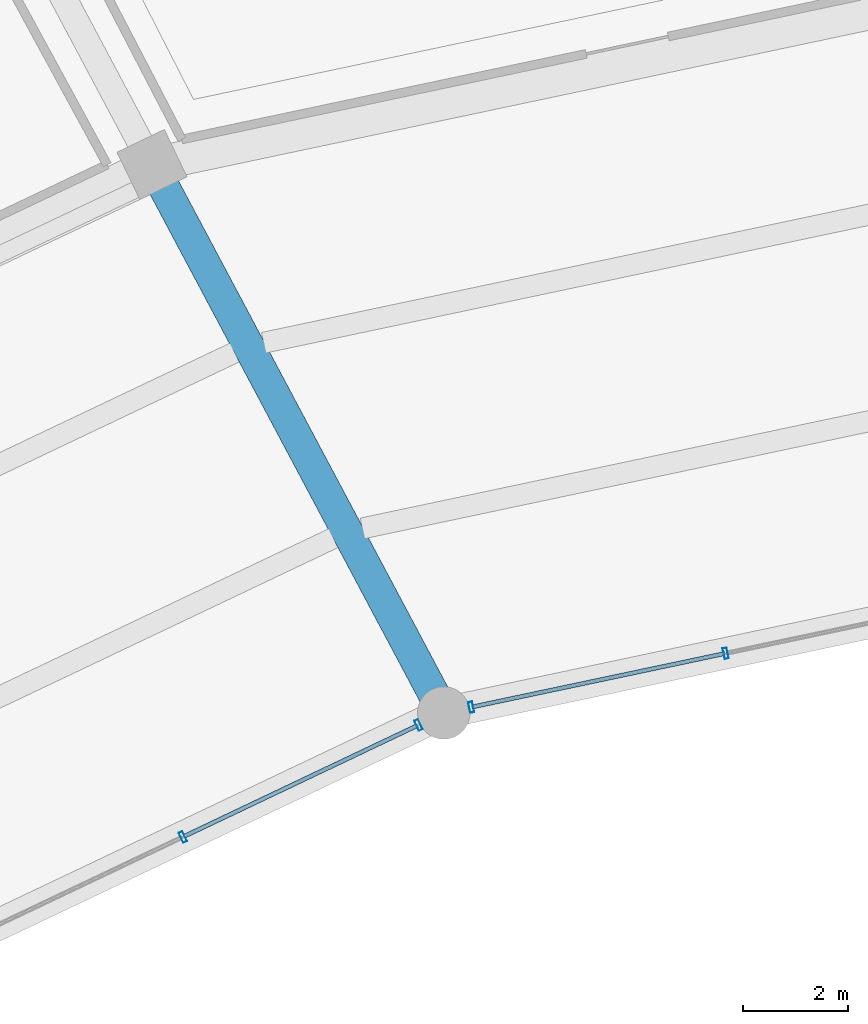
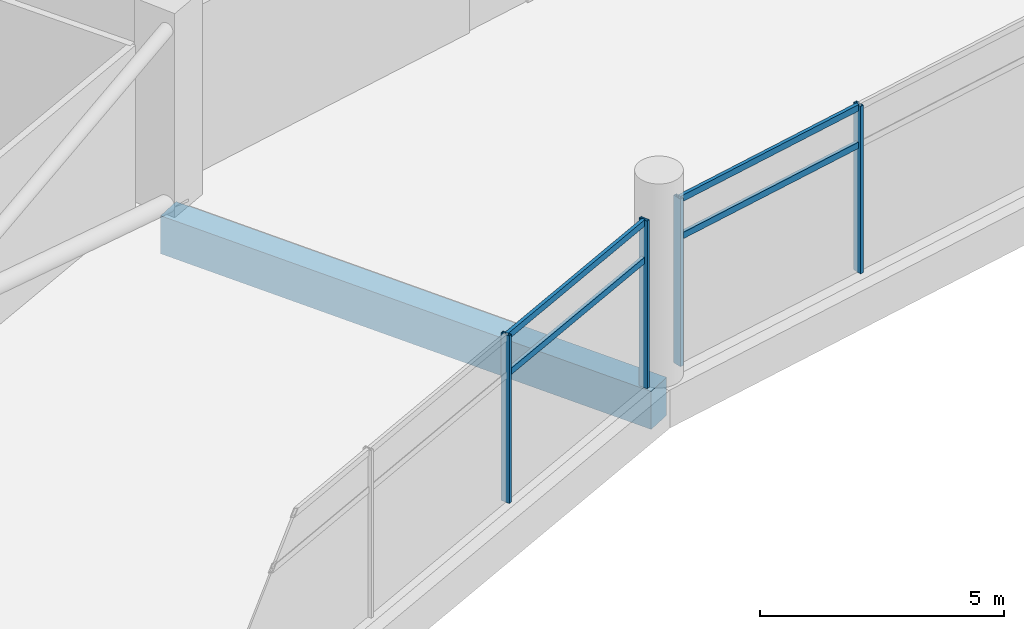
# One storey, part 105 of 184: 8 members, 1 beam, 2 elements without a shape of their own.
"""IFC4 building model written with IfcOpenShell, lengths in metres."""

from ifc_helpers import new_model, si_unit, direction, frame, origin, origin_2d, place, context, subcontext, project, spatial, rectangle, hollow_rectangle, extrude, material, layer, layer_set, material_profile, profile_set, type_object, element, aggregate, save


model = new_model("IFC4")

# Units and contexts
model_context = context("Model", 3, precision=1e-05, world=origin(), true_north=direction((0.0, 1.0)))
body_context = subcontext(model_context, "Body", "Model", "MODEL_VIEW")
ifc_project = project(units=[si_unit("LENGTHUNIT", "METRE"), si_unit("AREAUNIT", "SQUARE_METRE"), si_unit("VOLUMEUNIT", "CUBIC_METRE"), si_unit("PLANEANGLEUNIT", "RADIAN"), si_unit("MASSUNIT", "GRAM", prefix="KILO")], contexts=[model_context])

# Site, building, storey
site_placement = place(None, origin())
site = spatial("IfcSite", under=ifc_project, at=site_placement, CompositionType="ELEMENT")
building_placement = place(site_placement, origin())
building = spatial("IfcBuilding", under=site, at=building_placement, Name="Kazemori Nagisa Stadium", CompositionType="ELEMENT")
storey_placement = place(building_placement, frame((0.0, 0.0, 10.5400390625)))
storey = spatial("IfcBuildingStorey", under=building, at=storey_placement, Name="L02", CompositionType="ELEMENT", Elevation=10.5400390625)

# Beam
ifc_material_1 = material(Name="Concrete C40/50 (Fc42)", Category="concrete")
ifc_material_profile_1 = material_profile(ifc_material_1, rectangle(XDim=0.60009765625, YDim=0.949951171875, at=origin_2d()), Name="RC-BM-600x950")
ifc_profile_set_1 = profile_set([ifc_material_profile_1], Name="Concrete C40/50 (Fc42)")
beam_type = type_object("IfcBeamType", Name="Beam_BG-RC600X950", PredefinedType="BEAM", material=ifc_profile_set_1)
beam_placement = place(storey_placement, frame((91.75244140625, 160.739013671875, -0.735107421875), z_axis=(-0.469646804203, 0.882854393036, 0.0), x_axis=(-0.882854393036, -0.469646804203, 0.0)))
element("IfcBeam", 1, at=beam_placement, inside=storey, type_object=beam_type, Name="Radial girder BG-RC600X950 L02 R1-R2-10", PredefinedType="BEAM", context=body_context, shape_type="SweptSolid", body=[
    extrude(rectangle(XDim=0.60009765625, YDim=0.949951171875, at=origin_2d()), origin(), (0.0, 0.0, 1.0), 11.84814453125),
])

# Curtain wall, members
ifc_material_2 = material(Name="Anodised aluminium 6063-T5", Category="aluminium")
ifc_layer = layer(ifc_material_2, 0.2099609375, Name="Anodised aluminium 6063-T5", Category="aluminium")
ifc_layer_set = layer_set([ifc_layer], Name="Anodised aluminium 6063-T5")
curtain_wall_type = type_object("IfcCurtainWallType", Name="CW_L02B_75", PredefinedType="USERDEFINED", material=ifc_layer_set)
curtain_wall_1_placement = place(storey_placement, origin())
curtain_wall_1 = element("IfcCurtainWall", 2, at=curtain_wall_1_placement, inside=storey, type_object=curtain_wall_type, Name="Unitised curtain wall CW-L02B-75 L02", ObjectType="UNITISED CURTAIN WALL", PredefinedType="USERDEFINED")
ifc_material_3 = material(Name="Aluminium 6063-T5 anodised", Category="aluminium")
ifc_material_profile_2 = material_profile(ifc_material_3, hollow_rectangle(XDim=0.080078125, YDim=0.2099609375, WallThickness=0.0048828125, at=origin_2d()), Name="ALU-MULL-80x210x5")
ifc_profile_set_2 = profile_set([ifc_material_profile_2], Name="Aluminium 6063-T5 anodised")
member_type_1 = type_object("IfcMemberType", Name="Mullion_M02", PredefinedType="MULLION", material=ifc_profile_set_2)
member_1_placement = place(storey_placement, frame((97.128662109375, 161.876220703125, 0.0), z_axis=(0.0, 0.0, 1.0), x_axis=(-0.978344955407, -0.206981033502, 0.0)))
member_1 = element("IfcMember", 3, at=member_1_placement, type_object=member_type_1, Name="Curtain wall mullion CW-L02B-75-M3", PredefinedType="MULLION", context=body_context, shape_type="SweptSolid", body=[
    extrude(hollow_rectangle(XDim=0.080078125, YDim=0.2099609375, WallThickness=0.0048828125, at=origin_2d()), origin(), (0.0, 0.0, 1.0), 4.18994140625),
])
member_2_placement = place(storey_placement, frame((92.27587890625, 160.849609375, 0.0), z_axis=(0.0, 0.0, 1.0), x_axis=(-0.978344955407, -0.206981033502, 0.0)))
member_2 = element("IfcMember", 4, at=member_2_placement, type_object=member_type_1, Name="Curtain wall mullion CW-L02B-75-M4", PredefinedType="MULLION", context=body_context, shape_type="SweptSolid", body=[
    extrude(hollow_rectangle(XDim=0.080078125, YDim=0.2099609375, WallThickness=0.0048828125, at=origin_2d()), origin(), (0.0, 0.0, 1.0), 4.18994140625),
])

curtain_wall_2_placement = place(storey_placement, origin())
curtain_wall_2 = element("IfcCurtainWall", 5, at=curtain_wall_2_placement, inside=storey, type_object=curtain_wall_type, Name="Unitised curtain wall CW-L02B-75 L02", ObjectType="UNITISED CURTAIN WALL", PredefinedType="USERDEFINED")
member_3_placement = place(storey_placement, frame((91.269287109375, 160.50927734375, 0.0), z_axis=(0.0, 0.0, 1.0), x_axis=(-0.903215892654, -0.429186499388, 0.0)))
member_3 = element("IfcMember", 6, at=member_3_placement, type_object=member_type_1, Name="Curtain wall mullion CW-L02B-75-M1", PredefinedType="MULLION", context=body_context, shape_type="SweptSolid", body=[
    extrude(hollow_rectangle(XDim=0.080078125, YDim=0.2099609375, WallThickness=0.0048828125, at=origin_2d()), origin(), (0.0, 0.0, 1.0), 4.18994140625),
])
member_4_placement = place(storey_placement, frame((86.775146484375, 158.373779296875, 0.0), z_axis=(0.0, 0.0, 1.0), x_axis=(-0.903215892654, -0.429186499388, 0.0)))
member_4 = element("IfcMember", 7, at=member_4_placement, type_object=member_type_1, Name="Curtain wall mullion CW-L02B-75-M2", PredefinedType="MULLION", context=body_context, shape_type="SweptSolid", body=[
    extrude(hollow_rectangle(XDim=0.080078125, YDim=0.2099609375, WallThickness=0.0048828125, at=origin_2d()), origin(), (0.0, 0.0, 1.0), 4.18994140625),
])

# Member
ifc_material_profile_3 = material_profile(ifc_material_3, hollow_rectangle(XDim=0.080078125, YDim=0.159912109375, WallThickness=0.00390625, at=origin_2d()), Name="ALU-TRAN-80x160x4")
ifc_profile_set_3 = profile_set([ifc_material_profile_3], Name="Aluminium 6063-T5 anodised")
member_type_2 = type_object("IfcMemberType", Name="Transom_T02", PredefinedType="USERDEFINED", material=ifc_profile_set_3)
member_5_placement = place(storey_placement, frame((97.109130859375, 161.8720703125, 3.184326171875), z_axis=(-0.978348737064, -0.206963157798, 0.0), x_axis=(0.206963157798, -0.978348737064, 0.0)))
member_5 = element("IfcMember", 8, at=member_5_placement, type_object=member_type_2, Name="Curtain wall transom CW-L02B-75-T3-mid", ObjectType="TRANSOM", PredefinedType="USERDEFINED", context=body_context, shape_type="SweptSolid", body=[
    extrude(hollow_rectangle(XDim=0.080078125, YDim=0.159912109375, WallThickness=0.00390625, at=origin_2d()), origin(), (0.0, 0.0, 1.0), 4.920166015625),
])

member_6_placement = place(storey_placement, frame((97.109130859375, 161.8720703125, 4.119873046875), z_axis=(-0.978348737064, -0.206963157798, 0.0), x_axis=(0.206963157798, -0.978348737064, 0.0)))
member_6 = element("IfcMember", 9, at=member_6_placement, type_object=member_type_2, Name="Curtain wall transom CW-L02B-75-T3-head", ObjectType="TRANSOM", PredefinedType="USERDEFINED", context=body_context, shape_type="SweptSolid", body=[
    extrude(hollow_rectangle(XDim=0.080078125, YDim=0.159912109375, WallThickness=0.00390625, at=origin_2d()), origin(), (0.0, 0.0, 1.0), 4.920166015625),
])

aggregate(curtain_wall_1, [member_1, member_2, member_5, member_6])

member_7_placement = place(storey_placement, frame((91.251220703125, 160.500732421875, 3.184326171875), z_axis=(-0.903210397994, -0.429198062618, 0.0), x_axis=(0.429198062618, -0.903210397994, 0.0)))
member_7 = element("IfcMember", 10, at=member_7_placement, type_object=member_type_2, Name="Curtain wall transom CW-L02B-75-T1-mid", ObjectType="TRANSOM", PredefinedType="USERDEFINED", context=body_context, shape_type="SweptSolid", body=[
    extrude(hollow_rectangle(XDim=0.080078125, YDim=0.159912109375, WallThickness=0.00390625, at=origin_2d()), origin(), (0.0, 0.0, 1.0), 4.935791015625),
])

member_8_placement = place(storey_placement, frame((91.251220703125, 160.500732421875, 4.119873046875), z_axis=(-0.903210397994, -0.429198062618, 0.0), x_axis=(0.429198062618, -0.903210397994, 0.0)))
member_8 = element("IfcMember", 11, at=member_8_placement, type_object=member_type_2, Name="Curtain wall transom CW-L02B-75-T1-head", ObjectType="TRANSOM", PredefinedType="USERDEFINED", context=body_context, shape_type="SweptSolid", body=[
    extrude(hollow_rectangle(XDim=0.080078125, YDim=0.159912109375, WallThickness=0.00390625, at=origin_2d()), origin(), (0.0, 0.0, 1.0), 4.935791015625),
])

aggregate(curtain_wall_2, [member_3, member_4, member_7, member_8])

save(model, "model.ifc")
